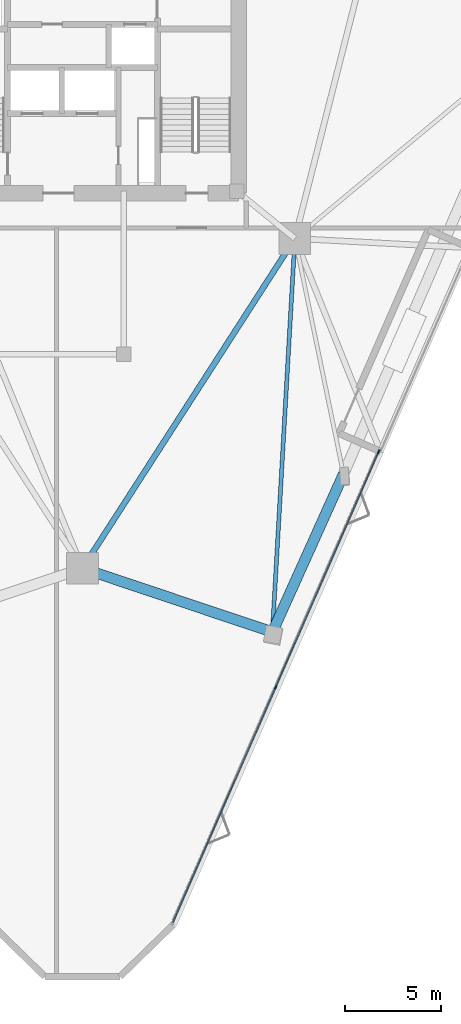
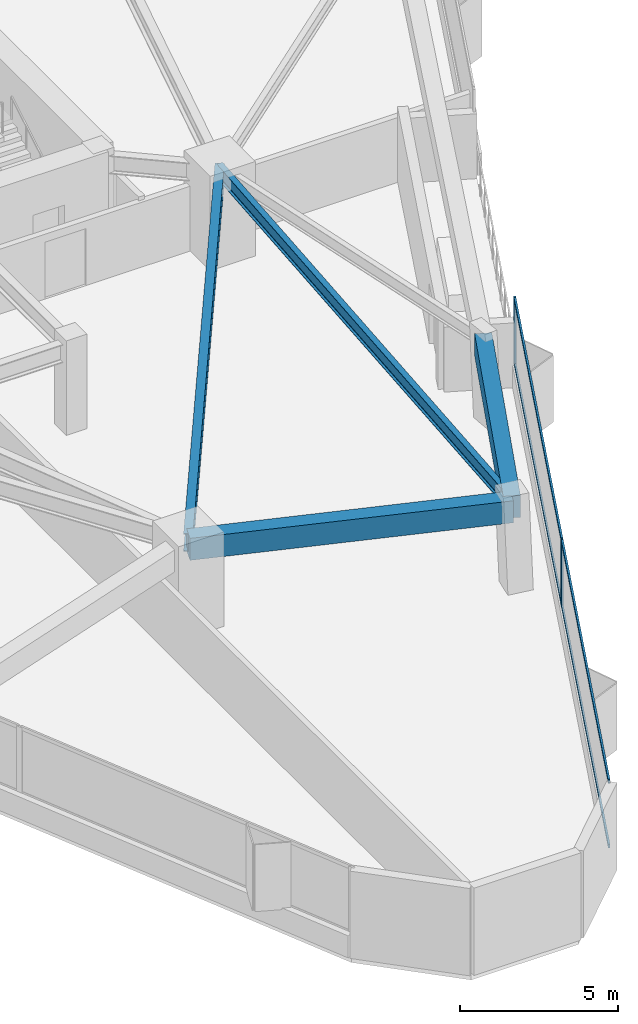
# One storey, part 3 of 14: 6 members, 4 beams, 1 element without a shape of its own.
"""IFC4 building model written with IfcOpenShell, lengths in metres."""

from ifc_helpers import new_model, si_unit, direction, frame, origin, origin_2d, place, context, subcontext, project, spatial, rectangle, i_section, extrude, material, layer, layer_set, material_profile, profile_set, type_object, element, aggregate, save


model = new_model("IFC4")

# Units and contexts
model_context = context("Model", 3, precision=1e-05, world=origin(), true_north=direction((0.0, 1.0)))
body_context = subcontext(model_context, "Body", "Model", "MODEL_VIEW")
ifc_project = project(units=[si_unit("LENGTHUNIT", "METRE"), si_unit("AREAUNIT", "SQUARE_METRE"), si_unit("VOLUMEUNIT", "CUBIC_METRE"), si_unit("PLANEANGLEUNIT", "RADIAN"), si_unit("MASSUNIT", "GRAM", prefix="KILO")], contexts=[model_context])

# Site, building, storey
site_placement = place(None, origin())
site = spatial("IfcSite", under=ifc_project, at=site_placement, CompositionType="ELEMENT")
building_placement = place(site_placement, origin())
building = spatial("IfcBuilding", under=site, at=building_placement, Name="Talyreon Biosciences Tower", CompositionType="ELEMENT")
storey_placement = place(building_placement, frame((0.0, 0.0, 96.89990234375)))
storey = spatial("IfcBuildingStorey", under=building, at=storey_placement, Name="L25", CompositionType="ELEMENT", Elevation=96.89990234375)

# Curtain wall, members
ifc_material_1 = material(Name="Thermally broken aluminium and low-E glazing", Category="aluminium")
ifc_layer = layer(ifc_material_1, 0.205078125)
ifc_layer_set = layer_set([ifc_layer], Name="Thermally broken aluminium and low-E glazing")
curtain_wall_type = type_object("IfcCurtainWallType", Name="CurtainWall_SkyGardenLoggia", PredefinedType="NOTDEFINED", material=ifc_layer_set)
curtain_wall_placement = place(storey_placement, origin())
curtain_wall = element("IfcCurtainWall", 1, at=curtain_wall_placement, inside=storey, type_object=curtain_wall_type, Name="L25 Unitised Curtain Wall FCW-L25-11", PredefinedType="NOTDEFINED")
ifc_material_2 = material(Name="Anodised thermally broken aluminium", Category="aluminium")
ifc_material_profile_1 = material_profile(ifc_material_2, rectangle(XDim=0.074951171875, YDim=0.2099609375, at=origin_2d()), Name="ALUM MULLION 75x210")
ifc_profile_set_1 = profile_set([ifc_material_profile_1], Name="Anodised thermally broken aluminium")
member_type_1 = type_object("IfcMemberType", Name="CWMullion_75x210", PredefinedType="MULLION", material=ifc_profile_set_1)
member_1_placement = place(storey_placement, frame((81.462890625, 47.764404296875, 0.81005859375), z_axis=(0.0, 0.0, 1.0), x_axis=(0.916278652773, -0.400541421669, 0.0)))
member_1 = element("IfcMember", 2, at=member_1_placement, type_object=member_type_1, Name="CW7 mullion 1", PredefinedType="MULLION", context=body_context, shape_type="SweptSolid", body=[
    extrude(rectangle(XDim=0.074951171875, YDim=0.2099609375, at=origin_2d()), origin(), (0.0, 0.0, 1.0), 2.56494140625),
])
member_2_placement = place(storey_placement, frame((76.08447265625, 35.461181640625, 0.81005859375), z_axis=(0.0, 0.0, 1.0), x_axis=(0.916278652773, -0.400541421669, 0.0)))
member_2 = element("IfcMember", 3, at=member_2_placement, type_object=member_type_1, Name="CW7 mullion 2", PredefinedType="MULLION", context=body_context, shape_type="SweptSolid", body=[
    extrude(rectangle(XDim=0.074951171875, YDim=0.2099609375, at=origin_2d()), origin(), (0.0, 0.0, 1.0), 2.56494140625),
])
ifc_material_profile_2 = material_profile(ifc_material_2, rectangle(XDim=0.06494140625, YDim=0.139892578125, at=origin_2d()), Name="ALUM TRANSOM 65x140")
ifc_profile_set_2 = profile_set([ifc_material_profile_2], Name="Anodised thermally broken aluminium")
member_type_2 = type_object("IfcMemberType", Name="CWTransom_65x140", PredefinedType="USERDEFINED", material=ifc_profile_set_2)
member_3_placement = place(storey_placement, frame((81.44775390625, 47.72998046875, 0.842529296875), z_axis=(-0.400535857879, -0.916281084904, 0.0), x_axis=(0.916281084904, -0.400535857879, 0.0)))
member_3 = element("IfcMember", 4, at=member_3_placement, type_object=member_type_2, Name="CW7 transom 1.1", ObjectType="TRANSOM", PredefinedType="USERDEFINED", context=body_context, shape_type="SweptSolid", body=[
    extrude(rectangle(XDim=0.06494140625, YDim=0.139892578125, at=origin_2d()), origin(), (0.0, 0.0, 1.0), 13.3525390625),
])
member_4_placement = place(storey_placement, frame((81.44775390625, 47.72998046875, 3.342529296875), z_axis=(-0.400535857879, -0.916281084904, 0.0), x_axis=(0.916281084904, -0.400535857879, 0.0)))
member_4 = element("IfcMember", 5, at=member_4_placement, type_object=member_type_2, Name="CW7 transom 1.2", ObjectType="TRANSOM", PredefinedType="USERDEFINED", context=body_context, shape_type="SweptSolid", body=[
    extrude(rectangle(XDim=0.06494140625, YDim=0.139892578125, at=origin_2d()), origin(), (0.0, 0.0, 1.0), 13.3525390625),
])
member_5_placement = place(storey_placement, frame((76.069580078125, 35.4267578125, 0.842529296875), z_axis=(-0.400535857879, -0.916281084904, 0.0), x_axis=(0.916281084904, -0.400535857879, 0.0)))
member_5 = element("IfcMember", 6, at=member_5_placement, type_object=member_type_2, Name="CW7 transom 2.1", ObjectType="TRANSOM", PredefinedType="USERDEFINED", context=body_context, shape_type="SweptSolid", body=[
    extrude(rectangle(XDim=0.06494140625, YDim=0.139892578125, at=origin_2d()), origin(), (0.0, 0.0, 1.0), 13.3525390625),
])
member_6_placement = place(storey_placement, frame((76.069580078125, 35.4267578125, 3.342529296875), z_axis=(-0.400535857879, -0.916281084904, 0.0), x_axis=(0.916281084904, -0.400535857879, 0.0)))
member_6 = element("IfcMember", 7, at=member_6_placement, type_object=member_type_2, Name="CW7 transom 2.2", ObjectType="TRANSOM", PredefinedType="USERDEFINED", context=body_context, shape_type="SweptSolid", body=[
    extrude(rectangle(XDim=0.06494140625, YDim=0.139892578125, at=origin_2d()), origin(), (0.0, 0.0, 1.0), 13.3525390625),
])
aggregate(curtain_wall, [member_1, member_2, member_3, member_4, member_5, member_6])

# Beams
ifc_material_3 = material(Name="Precast concrete C45/55", Category="concrete")
ifc_material_profile_3 = material_profile(ifc_material_3, rectangle(XDim=0.550048828125, YDim=0.85009765625, at=origin_2d()), Name="RCB 550x850")
ifc_profile_set_3 = profile_set([ifc_material_profile_3], Name="Precast concrete C45/55")
beam_type_1 = type_object("IfcBeamType", Name="ExpressedSpandrel_550x850", PredefinedType="SPANDREL", material=ifc_profile_set_3)
beam_1_placement = place(storey_placement, frame((66.0, 41.6669921875, 2.9501953125), z_axis=(0.948170668872, -0.317761518582, 0.0), x_axis=(0.317761518582, 0.948170668872, 0.0)))
element("IfcBeam", 8, at=beam_1_placement, inside=storey, type_object=beam_type_1, Name="L25 Expressed Horizontal Concrete Spandrel 01", PredefinedType="SPANDREL", context=body_context, shape_type="SweptSolid", body=[
    extrude(rectangle(XDim=0.550048828125, YDim=0.85009765625, at=origin_2d()), origin(), (0.0, 0.0, 1.0), 10.455322265625),
])
beam_2_placement = place(storey_placement, frame((75.913330078125, 38.3447265625, 2.9501953125), z_axis=(0.41055117276, 0.911837559297, 0.0), x_axis=(-0.911837559297, 0.41055117276, 0.0)))
element("IfcBeam", 9, at=beam_2_placement, inside=storey, type_object=beam_type_1, Name="L25 Expressed Horizontal Concrete Spandrel 02", PredefinedType="SPANDREL", context=body_context, shape_type="SweptSolid", body=[
    extrude(rectangle(XDim=0.550048828125, YDim=0.85009765625, at=origin_2d()), origin(), (0.0, 0.0, 1.0), 9.035400390625),
])
ifc_material_4 = material(Name="Steel SM355", Category="steel")
ifc_material_profile_4 = material_profile(ifc_material_4, i_section(OverallWidth=0.300048828125, OverallDepth=0.699951171875, WebThickness=0.01708984375, FlangeThickness=0.031982421875, FilletRadius=0.027099609375, at=origin_2d()), Name="HE700B")
ifc_profile_set_4 = profile_set([ifc_material_profile_4], Name="Steel SM355")
beam_type_2 = type_object("IfcBeamType", Name="SteelGirder_HE700B", PredefinedType="BEAM", material=ifc_profile_set_4)
beam_3_placement = place(storey_placement, frame((66.0, 41.6669921875, 3.025146484375), z_axis=(0.541463723609, 0.840724114092, 0.0), x_axis=(-0.840724114092, 0.541463723609, 0.0)))
element("IfcBeam", 10, at=beam_3_placement, inside=storey, type_object=beam_type_2, Name="L25 Mega-Ring Girder 1", PredefinedType="BEAM", context=body_context, shape_type="SweptSolid", body=[
    extrude(i_section(OverallWidth=0.300048828125, OverallDepth=0.699951171875, WebThickness=0.01708984375, FlangeThickness=0.031982421875, FilletRadius=0.027099609375, at=origin_2d()), origin(), (0.0, 0.0, 1.0), 20.474365234375),
])
ifc_material_profile_5 = material_profile(ifc_material_4, i_section(OverallWidth=0.2099609375, OverallDepth=0.550048828125, WebThickness=0.010986328125, FlangeThickness=0.01708984375, FilletRadius=0.02392578125, at=origin_2d()), Name="IPE550")
ifc_profile_set_5 = profile_set([ifc_material_profile_5], Name="Steel SM355")
beam_type_3 = type_object("IfcBeamType", Name="SteelJoist_IPE550", PredefinedType="JOIST", material=ifc_profile_set_5)
beam_4_placement = place(storey_placement, frame((77.086181640625, 58.88037109375, 3.10009765625), z_axis=(-0.057020044868, -0.998373033732, 0.0), x_axis=(0.998373033732, -0.057020044868, 0.0)))
element("IfcBeam", 11, at=beam_4_placement, inside=storey, type_object=beam_type_3, Name="L25 Radial Composite Floor Joist PC-SE1", PredefinedType="JOIST", context=body_context, shape_type="SweptSolid", body=[
    extrude(i_section(OverallWidth=0.2099609375, OverallDepth=0.550048828125, WebThickness=0.010986328125, FlangeThickness=0.01708984375, FilletRadius=0.02392578125, at=origin_2d()), origin(), (0.0, 0.0, 1.0), 20.569091796875),
])

save(model, "model.ifc")
